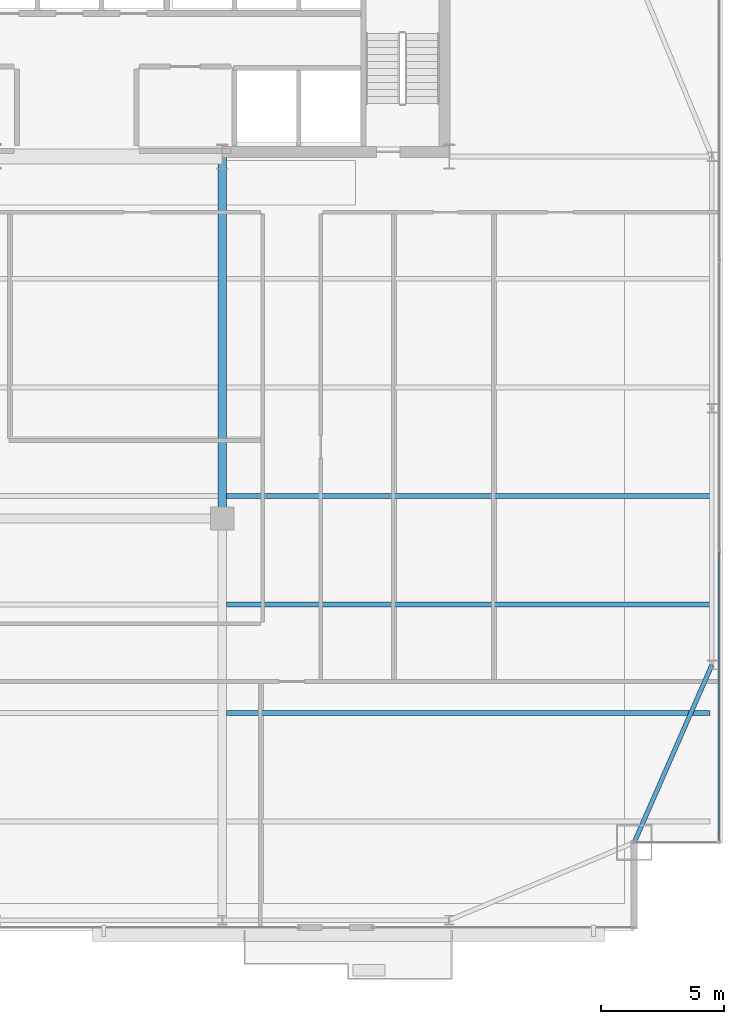
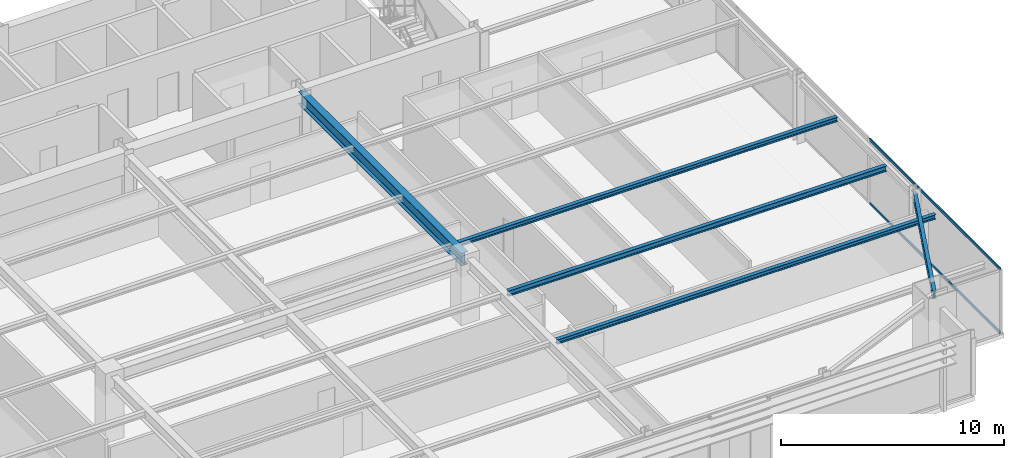
# One storey, part 17 of 32: 5 beams, 2 members, 1 element without a shape of its own.
"""IFC4 building model written with IfcOpenShell, lengths in metres."""

from ifc_helpers import new_model, si_unit, direction, frame, origin, origin_2d, place, context, subcontext, project, spatial, hollow_rectangle, i_section, extrude, source, transform, mapped, material, layer, layer_set, material_profile, profile_set, type_object, type_shapes, element, aggregate, save


model = new_model("IFC4")

# Units and contexts
model_context = context("Model", 3, precision=1e-05, world=origin(), true_north=direction((0.0, 1.0)))
body_context = subcontext(model_context, "Body", "Model", "MODEL_VIEW")
ifc_project = project(units=[si_unit("LENGTHUNIT", "METRE"), si_unit("AREAUNIT", "SQUARE_METRE"), si_unit("VOLUMEUNIT", "CUBIC_METRE"), si_unit("PLANEANGLEUNIT", "RADIAN"), si_unit("MASSUNIT", "GRAM", prefix="KILO")], contexts=[model_context])

# Site, building, storey
site_placement = place(None, origin())
site = spatial("IfcSite", under=ifc_project, at=site_placement, CompositionType="ELEMENT")
building_placement = place(site_placement, origin())
building = spatial("IfcBuilding", under=site, at=building_placement, Name="Varnel Quay Broadcast Tower", CompositionType="ELEMENT")
storey_placement = place(building_placement, frame((0.0, 0.0, 133.39990234375)))
storey = spatial("IfcBuildingStorey", under=building, at=storey_placement, Name="L32", CompositionType="ELEMENT", Elevation=133.39990234375)

# Beams
ifc_material_1 = material(Name="Structural Steel CSA G40.21 350W", Category="steel")
ifc_material_profile_1 = material_profile(ifc_material_1, i_section(OverallWidth=0.180908203125, OverallDepth=0.4169921875, WebThickness=0.010986328125, FlangeThickness=0.018310546875, FilletRadius=0.011962890625, at=origin_2d()), Name="W410X85")
ifc_profile_set_1 = profile_set([ifc_material_profile_1], Name="Structural Steel CSA G40.21 350W")
beam_type_1 = type_object("IfcBeamType", Name="Beam_W410X85", PredefinedType="SPANDREL", material=ifc_profile_set_1)
shared_shape_1 = source(origin(), body_context, "Body", "SweptSolid", [
    extrude(i_section(OverallWidth=0.180908203125, OverallDepth=0.4169921875, WebThickness=0.010986328125, FlangeThickness=0.018310546875, FilletRadius=0.011962890625, at=origin_2d()), origin(), (0.0, 0.0, 1.0), 7.81884765625),
])
type_shapes(beam_type_1, [shared_shape_1])
beam_1_placement = place(storey_placement, frame((59.907958984375, 7.818359375, 3.341552734375), z_axis=(0.400827023998, 0.916153751743, 0.0), x_axis=(-0.916153751743, 0.400827023998, 0.0)))
element("IfcBeam", 1, at=beam_1_placement, inside=storey, type_object=beam_type_1, Name="L32 East Spandrel MC-SE-TC-E1", PredefinedType="SPANDREL", context=body_context, shape_type="MappedRepresentation", body=[
    mapped(shared_shape_1, transform((0.0, 0.0, 0.0), x_axis=(1.0, 0.0, 0.0), y_axis=(0.0, 1.0, 0.0), z_axis=(0.0, 0.0, 1.0), scale=1.0)),
])
ifc_material_profile_2 = material_profile(ifc_material_1, i_section(OverallWidth=0.35498046875, OverallDepth=0.695068359375, WebThickness=0.015380859375, FlangeThickness=0.02490234375, FilletRadius=0.01806640625, at=origin_2d()), Name="W690X217")
ifc_profile_set_2 = profile_set([ifc_material_profile_2], Name="Structural Steel CSA G40.21 350W")
beam_type_2 = type_object("IfcBeamType", Name="Girder_W690X217", PredefinedType="BEAM", material=ifc_profile_set_2)
shared_shape_2 = source(origin(), body_context, "Body", "SweptSolid", [
    extrude(i_section(OverallWidth=0.35498046875, OverallDepth=0.695068359375, WebThickness=0.015380859375, FlangeThickness=0.02490234375, FilletRadius=0.01806640625, at=origin_2d()), origin(), (0.0, 0.0, 1.0), 14.630126953125),
])
type_shapes(beam_type_2, [shared_shape_2])
beam_2_placement = place(storey_placement, frame((43.199951171875, 20.949951171875, 3.20263671875), z_axis=(0.0, 1.0, 0.0), x_axis=(-1.0, 0.0, 0.0)))
element("IfcBeam", 2, at=beam_2_placement, inside=storey, type_object=beam_type_2, Name="L32 Primary Girder IC-02-CC-S4", PredefinedType="BEAM", context=body_context, shape_type="MappedRepresentation", body=[
    mapped(shared_shape_2, transform((0.0, 0.0, 0.0), x_axis=(1.0, 0.0, 0.0), y_axis=(0.0, 1.0, 0.0), z_axis=(0.0, 0.0, 1.0), scale=1.0)),
])
ifc_material_profile_3 = material_profile(ifc_material_1, i_section(OverallWidth=0.202880859375, OverallDepth=0.302978515625, WebThickness=0.007568359375, FlangeThickness=0.01318359375, FilletRadius=0.011962890625, at=origin_2d()), Name="W310X60")
ifc_profile_set_3 = profile_set([ifc_material_profile_3], Name="Structural Steel CSA G40.21 350W")
beam_type_3 = type_object("IfcBeamType", Name="Beam_W310X60", PredefinedType="JOIST", material=ifc_profile_set_3)
shared_shape_3 = source(origin(), body_context, "Body", "SweptSolid", [
    extrude(i_section(OverallWidth=0.202880859375, OverallDepth=0.302978515625, WebThickness=0.007568359375, FlangeThickness=0.01318359375, FilletRadius=0.011962890625, at=origin_2d()), origin(), (0.0, 0.0, 1.0), 19.592041015625),
])
type_shapes(beam_type_3, [shared_shape_3])
beam_3_placement = place(storey_placement, frame((43.37255859375, 17.449951171875, 3.398681640625), z_axis=(1.0, 0.0, 0.0), x_axis=(0.0, 1.0, 0.0)))
element("IfcBeam", 3, at=beam_3_placement, inside=storey, type_object=beam_type_3, Name="L32 East Floor Joist 3", PredefinedType="JOIST", context=body_context, shape_type="MappedRepresentation", body=[
    mapped(shared_shape_3, transform((0.0, 0.0, 0.0), x_axis=(1.0, 0.0, 0.0), y_axis=(0.0, 1.0, 0.0), z_axis=(0.0, 0.0, 1.0), scale=1.0)),
])
ifc_material_profile_4 = material_profile(ifc_material_1, i_section(OverallWidth=0.201904296875, OverallDepth=0.2470703125, WebThickness=0.00732421875, FlangeThickness=0.010986328125, FilletRadius=0.010986328125, at=origin_2d()), Name="W250X49")
ifc_profile_set_4 = profile_set([ifc_material_profile_4], Name="Structural Steel CSA G40.21 350W")
beam_type_4 = type_object("IfcBeamType", Name="Beam_W250X49", PredefinedType="JOIST", material=ifc_profile_set_4)
shared_shape_4 = source(origin(), body_context, "Body", "SweptSolid", [
    extrude(i_section(OverallWidth=0.201904296875, OverallDepth=0.2470703125, WebThickness=0.00732421875, FlangeThickness=0.010986328125, FilletRadius=0.010986328125, at=origin_2d()), origin(), (0.0, 0.0, 1.0), 19.592041015625),
])
type_shapes(beam_type_4, [shared_shape_4])
for number, where, z_axis, x_axis, name in (
    (4, (43.37255859375, 13.050048828125, 3.426513671875), (1.0, 0.0, 0.0), (0.0, 1.0, 0.0), "L32 East Floor Joist 2"),
    (5, (43.37255859375, 21.85009765625, 3.426513671875), (1.0, 0.0, 0.0), (0.0, 1.0, 0.0), "L32 East Floor Joist 4"),
):
    element("IfcBeam", number, at=place(storey_placement, frame(where, z_axis=z_axis, x_axis=x_axis)), inside=storey, type_object=beam_type_4, Name=name, PredefinedType="JOIST", context=body_context, shape_type="MappedRepresentation", body=[
        mapped(shared_shape_4, transform((0.0, 0.0, 0.0), x_axis=(1.0, 0.0, 0.0), y_axis=(0.0, 1.0, 0.0), z_axis=(0.0, 0.0, 1.0), scale=1.0)),
    ])

# Curtain wall, members
ifc_material_2 = material(Name="Anodised Bronze Aluminium 6063-T6", Category="aluminium")
ifc_layer = layer(ifc_material_2, 0.18994140625, Name="Anodised Bronze Aluminium 6063-T6")
ifc_layer_set = layer_set([ifc_layer], Name="Anodised Bronze Aluminium 6063-T6")
curtain_wall_type = type_object("IfcCurtainWallType", Name="CW_LowerTower", PredefinedType="NOTDEFINED", material=ifc_layer_set)
curtain_wall_placement = place(storey_placement, origin())
curtain_wall = element("IfcCurtainWall", 6, at=curtain_wall_placement, inside=storey, type_object=curtain_wall_type, Name="L32 East Unitised Curtain Wall", PredefinedType="NOTDEFINED")
ifc_material_profile_5 = material_profile(ifc_material_2, hollow_rectangle(XDim=0.06005859375, YDim=0.14501953125, WallThickness=0.00341796875, at=origin_2d()), Name="ALU60X145X3.5")
ifc_profile_set_5 = profile_set([ifc_material_profile_5], Name="Anodised Bronze Aluminium 6063-T6")
member_type = type_object("IfcMemberType", Name="Tran_CWS-02", PredefinedType="USERDEFINED", material=ifc_profile_set_5)
shared_shape_5 = source(origin(), body_context, "Body", "SweptSolid", [
    extrude(hollow_rectangle(XDim=0.06005859375, YDim=0.14501953125, WallThickness=0.00341796875, at=origin_2d()), origin(), (0.0, 0.0, 1.0), 11.69482421875),
])
type_shapes(member_type, [shared_shape_5])
member_1_placement = place(storey_placement, frame((63.35009765625, 7.8701171875, 0.030029296875), z_axis=(0.0, 1.0, 0.0), x_axis=(-1.0, 0.0, 0.0)))
member_1 = element("IfcMember", 7, at=member_1_placement, type_object=member_type, Name="CWS-02 transom 1.1", ObjectType="TRANSOM", PredefinedType="USERDEFINED", context=body_context, shape_type="MappedRepresentation", body=[
    mapped(shared_shape_5, transform((0.0, 0.0, 0.0), x_axis=(1.0, 0.0, 0.0), y_axis=(0.0, 1.0, 0.0), z_axis=(0.0, 0.0, 1.0), scale=1.0)),
])
member_2_placement = place(storey_placement, frame((63.35009765625, 7.8701171875, 3.52001953125), z_axis=(0.0, 1.0, 0.0), x_axis=(-1.0, 0.0, 0.0)))
member_2 = element("IfcMember", 8, at=member_2_placement, type_object=member_type, Name="CWS-02 transom 1.2", ObjectType="TRANSOM", PredefinedType="USERDEFINED", context=body_context, shape_type="MappedRepresentation", body=[
    mapped(shared_shape_5, transform((0.0, 0.0, 0.0), x_axis=(1.0, 0.0, 0.0), y_axis=(0.0, 1.0, 0.0), z_axis=(0.0, 0.0, 1.0), scale=1.0)),
])
aggregate(curtain_wall, [member_1, member_2])

save(model, "model.ifc")
